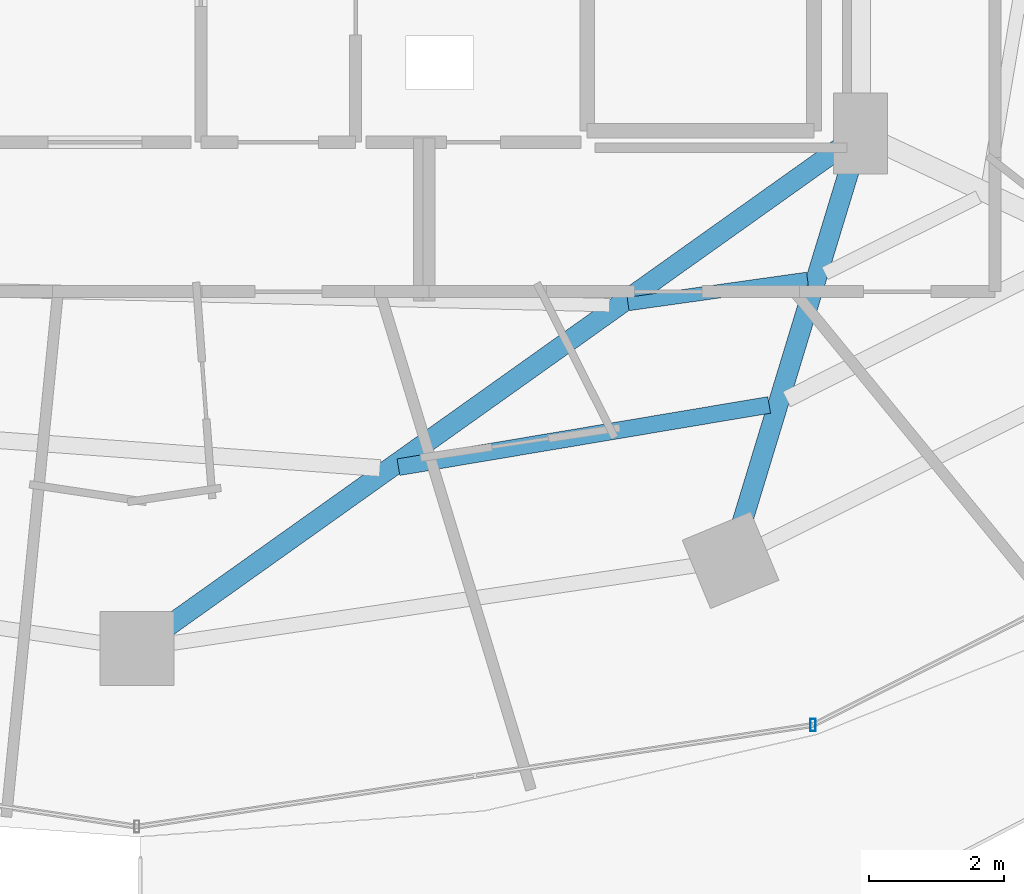
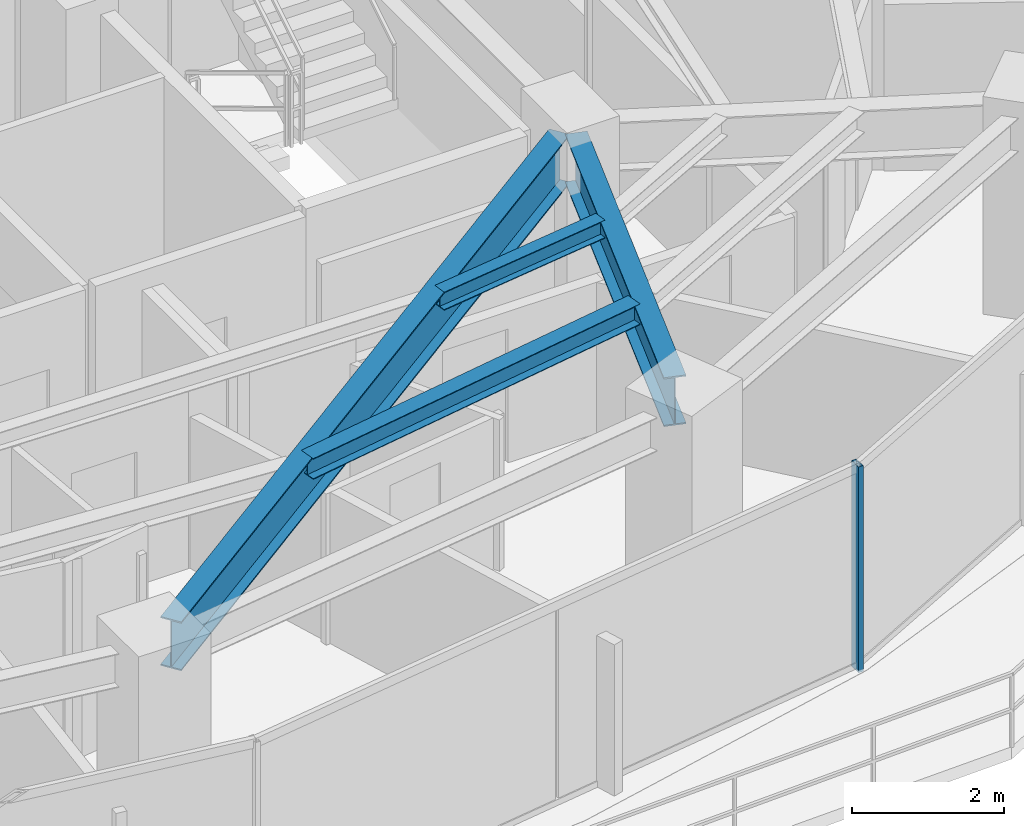
# One storey, part 10 of 29: 4 beams, 1 member, 1 element without a shape of its own.
"""IFC4 building model written with IfcOpenShell, lengths in metres."""

from ifc_helpers import new_model, si_unit, direction, frame, origin, origin_2d, place, context, subcontext, project, spatial, hollow_rectangle, i_section, extrude, material, material_profile, profile_set, type_object, element, aggregate, save


model = new_model("IFC4")

# Units and contexts
model_context = context("Model", 3, precision=1e-05, world=origin(), true_north=direction((0.0, 1.0)))
body_context = subcontext(model_context, "Body", "Model", "MODEL_VIEW")
ifc_project = project(units=[si_unit("LENGTHUNIT", "METRE"), si_unit("AREAUNIT", "SQUARE_METRE"), si_unit("VOLUMEUNIT", "CUBIC_METRE"), si_unit("PLANEANGLEUNIT", "RADIAN"), si_unit("MASSUNIT", "GRAM", prefix="KILO")], contexts=[model_context])

# Site, building, storey
site_placement = place(None, origin())
site = spatial("IfcSite", under=ifc_project, at=site_placement, CompositionType="ELEMENT")
building_placement = place(site_placement, origin())
building = spatial("IfcBuilding", under=site, at=building_placement, Name="Vorneva Point Tower", CompositionType="ELEMENT")
storey_placement = place(building_placement, frame((0.0, 0.0, 110.300048828125)))
storey = spatial("IfcBuildingStorey", under=building, at=storey_placement, Name="L29", CompositionType="ELEMENT", Elevation=110.300048828125)

# Beams
ifc_material_1 = material(Name="Steel S355", Category="steel")
ifc_material_profile_1 = material_profile(ifc_material_1, i_section(OverallWidth=0.300048828125, OverallDepth=0.7880859375, WebThickness=0.014404296875, FlangeThickness=0.02197265625, at=origin_2d()), Name="80Sh1")
ifc_profile_set_1 = profile_set([ifc_material_profile_1], Name="Steel S355")
beam_type_1 = type_object("IfcBeamType", Name="BM-GRD-80Sh1", PredefinedType="USERDEFINED", material=ifc_profile_set_1)
beam_1_placement = place(storey_placement, frame((38.438232421875, 9.11181640625, 2.845947265625), z_axis=(0.814750142675, 0.5798122153, 0.0), x_axis=(-0.5798122153, 0.814750142675, 0.0)))
element("IfcBeam", 1, at=beam_1_placement, inside=storey, type_object=beam_type_1, Name="L29 Radial Primary Girder 13", ObjectType="GIRDER", PredefinedType="USERDEFINED", context=body_context, shape_type="SweptSolid", body=[
    extrude(i_section(OverallWidth=0.300048828125, OverallDepth=0.7880859375, WebThickness=0.014404296875, FlangeThickness=0.02197265625, at=origin_2d()), origin(), (0.0, 0.0, 1.0), 12.316162109375),
])
beam_2_placement = place(storey_placement, frame((46.9775390625, 10.6240234375, 2.845947265625), z_axis=(0.291034888253, 0.956712440506, 0.0), x_axis=(-0.956712440506, 0.291034888253, 0.0)))
element("IfcBeam", 2, at=beam_2_placement, inside=storey, type_object=beam_type_1, Name="L29 Radial Primary Girder 14", ObjectType="GIRDER", PredefinedType="USERDEFINED", context=body_context, shape_type="SweptSolid", body=[
    extrude(i_section(OverallWidth=0.300048828125, OverallDepth=0.7880859375, WebThickness=0.014404296875, FlangeThickness=0.02197265625, at=origin_2d()), origin(), (0.0, 0.0, 1.0), 5.74951171875),
])
ifc_material_profile_2 = material_profile(ifc_material_1, i_section(OverallWidth=0.199951171875, OverallDepth=0.291015625, WebThickness=0.008056640625, FlangeThickness=0.010986328125, at=origin_2d()), Name="30Sh1")
ifc_profile_set_2 = profile_set([ifc_material_profile_2], Name="Steel S355")
beam_type_2 = type_object("IfcBeamType", Name="BM-SEC-30Sh1", PredefinedType="BEAM", material=ifc_profile_set_2)
beam_3_placement = place(storey_placement, frame((45.298095703125, 13.91552734375, 3.094482421875), z_axis=(0.990250320803, 0.139299325736, 0.0), x_axis=(-0.139299325736, 0.990250320803, 0.0)))
element("IfcBeam", 3, at=beam_3_placement, inside=storey, type_object=beam_type_2, Name="L29 Secondary Floor Beam 2.13", PredefinedType="BEAM", context=body_context, shape_type="SweptSolid", body=[
    extrude(i_section(OverallWidth=0.199951171875, OverallDepth=0.291015625, WebThickness=0.008056640625, FlangeThickness=0.010986328125, at=origin_2d()), origin(), (0.0, 0.0, 1.0), 2.690185546875),
])
ifc_material_profile_3 = material_profile(ifc_material_1, i_section(OverallWidth=0.2490234375, OverallDepth=0.333984375, WebThickness=0.008056640625, FlangeThickness=0.010986328125, at=origin_2d()), Name="35Sh1")
ifc_profile_set_3 = profile_set([ifc_material_profile_3], Name="Steel S355")
beam_type_3 = type_object("IfcBeamType", Name="BM-SEC-35Sh1", PredefinedType="BEAM", material=ifc_profile_set_3)
beam_4_placement = place(storey_placement, frame((41.8857421875, 11.4912109375, 3.072998046875), z_axis=(0.986181637233, 0.165667674532, 0.0), x_axis=(-0.165667674532, 0.986181637233, 0.0)))
element("IfcBeam", 4, at=beam_4_placement, inside=storey, type_object=beam_type_3, Name="L29 Secondary Floor Beam 1.13", PredefinedType="BEAM", context=body_context, shape_type="SweptSolid", body=[
    extrude(i_section(OverallWidth=0.2490234375, OverallDepth=0.333984375, WebThickness=0.008056640625, FlangeThickness=0.010986328125, at=origin_2d()), origin(), (0.0, 0.0, 1.0), 5.585205078125),
])

# Curtain wall, member
ifc_material_2 = material(Name="Pale anodised aluminium", Category="aluminium")
curtain_wall_type = type_object("IfcCurtainWallType", Name="CW-HTL-SYS", PredefinedType="NOTDEFINED", material=ifc_material_2)
curtain_wall_placement = place(storey_placement, origin())
curtain_wall = element("IfcCurtainWall", 5, at=curtain_wall_placement, inside=storey, type_object=curtain_wall_type, Name="L29 Unitised Curtain Wall CW-L29-R04", PredefinedType="NOTDEFINED")
ifc_material_profile_4 = material_profile(ifc_material_2, hollow_rectangle(XDim=0.074951171875, YDim=0.179931640625, WallThickness=0.00390625, at=origin_2d()), Name="AL-MUL 180x75x4")
ifc_profile_set_4 = profile_set([ifc_material_profile_4], Name="Pale anodised aluminium")
member_type = type_object("IfcMemberType", Name="CW-MUL-180", PredefinedType="MULLION", material=ifc_profile_set_4)
member_placement = place(storey_placement, frame((48.04541015625, 7.660888671875, -0.0400390625), z_axis=(0.0, 0.0, 1.0), x_axis=(1.0, 0.0, 0.0)))
member = element("IfcMember", 6, at=member_placement, type_object=member_type, Name="CW-L29-R04 Mullion 04", PredefinedType="MULLION", context=body_context, shape_type="SweptSolid", body=[
    extrude(hollow_rectangle(XDim=0.074951171875, YDim=0.179931640625, WallThickness=0.00390625, at=origin_2d()), origin(), (0.0, 0.0, 1.0), 3.31005859375),
])
aggregate(curtain_wall, [member])

save(model, "model.ifc")
